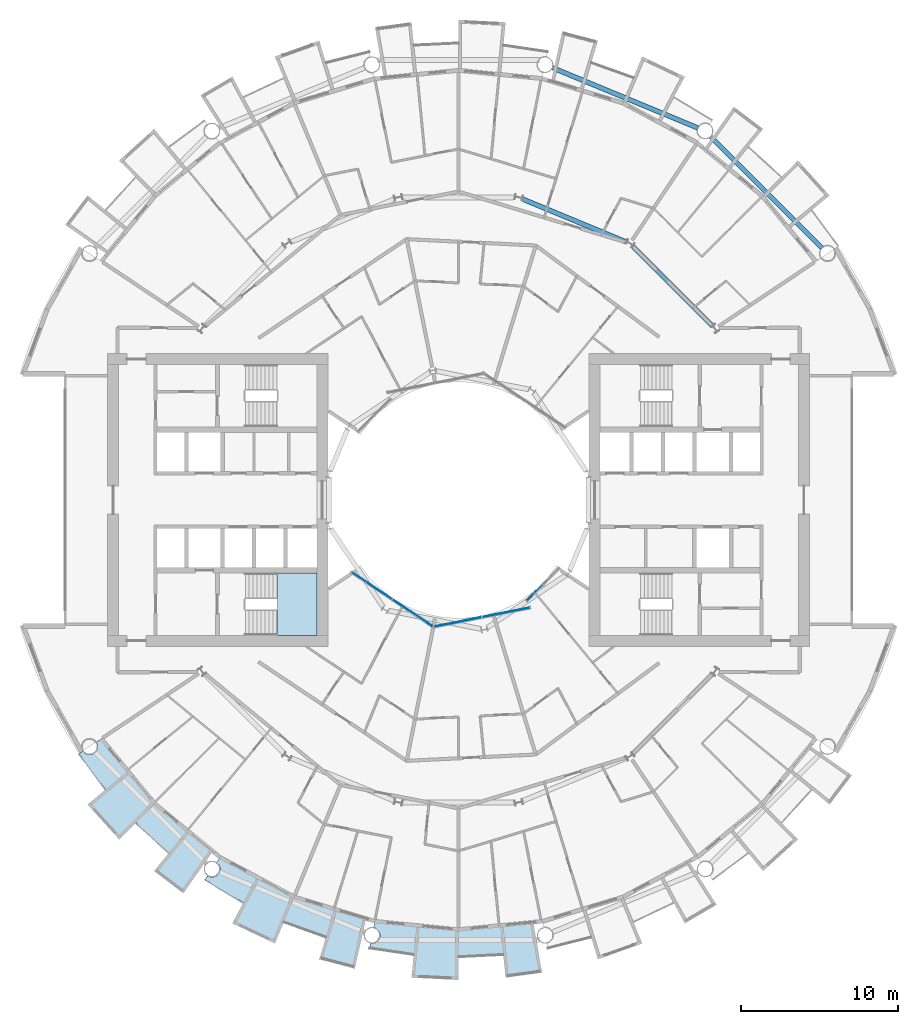
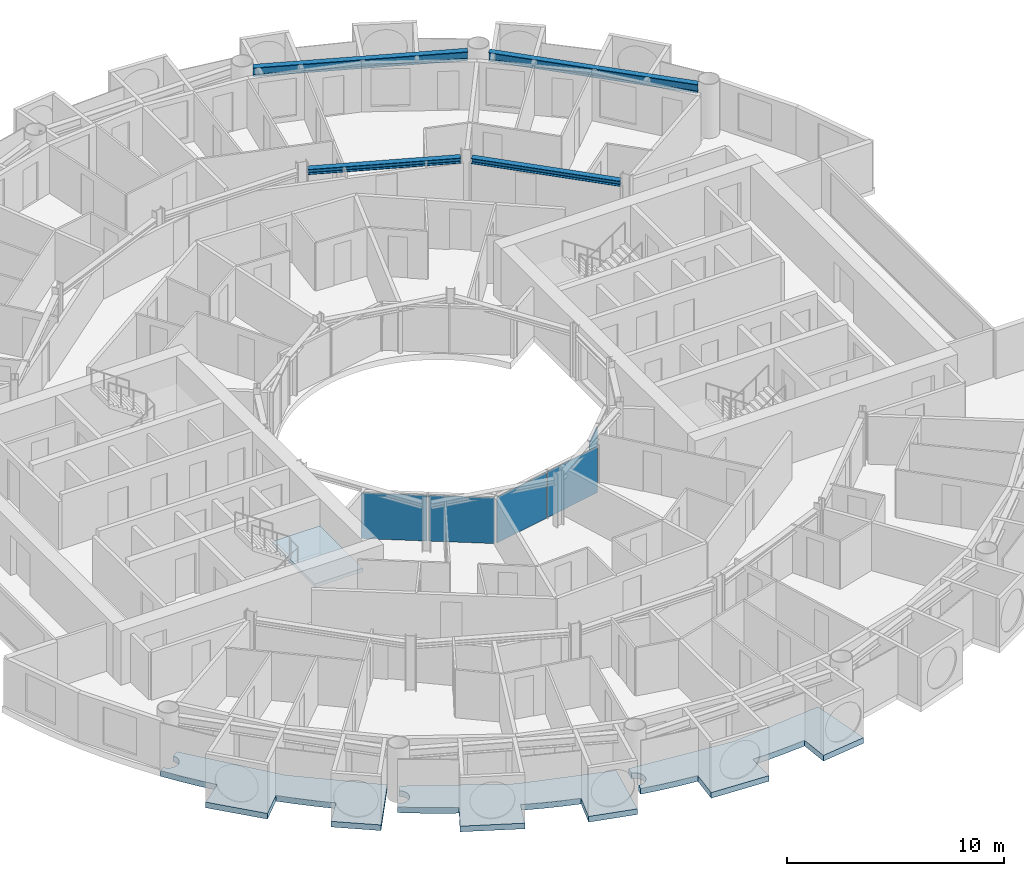
# One storey, part 9 of 26: 5 plates, 4 beams, 4 slabs, 4 elements without a shape of their own.
"""IFC4 building model written with IfcOpenShell, lengths in metres."""

from ifc_helpers import new_model, si_unit, direction, frame, origin, origin_2d, place, context, subcontext, project, spatial, polyline, rectangle, i_section, outline, extrude, material, layer, layer_set, material_profile, profile_set, type_object, element, aggregate, save


model = new_model("IFC4")

# Units and contexts
model_context = context("Model", 3, precision=1e-05, world=origin(), true_north=direction((0.0, 1.0)))
body_context = subcontext(model_context, "Body", "Model", "MODEL_VIEW")
ifc_project = project(units=[si_unit("LENGTHUNIT", "METRE"), si_unit("AREAUNIT", "SQUARE_METRE"), si_unit("VOLUMEUNIT", "CUBIC_METRE"), si_unit("PLANEANGLEUNIT", "RADIAN"), si_unit("MASSUNIT", "GRAM", prefix="KILO")], contexts=[model_context])

# Site, building, storey
site_placement = place(None, origin())
site = spatial("IfcSite", under=ifc_project, at=site_placement, CompositionType="ELEMENT")
building_placement = place(site_placement, origin())
building = spatial("IfcBuilding", under=site, at=building_placement, Name="Maasbend Ring Residences", CompositionType="ELEMENT")
storey_placement = place(building_placement, frame((0.0, 0.0, 88.0)))
storey = spatial("IfcBuildingStorey", under=building, at=storey_placement, Name="L25", CompositionType="ELEMENT", Elevation=88.0)

# Beams
ifc_material_1 = material(Name="Steel S355J2", Category="steel")
ifc_material_profile_1 = material_profile(ifc_material_1, i_section(OverallWidth=0.300048828125, OverallDepth=0.300048828125, WebThickness=0.010986328125, FlangeThickness=0.01904296875, FilletRadius=0.027099609375, at=origin_2d()), Name="HEB 300")
ifc_profile_set_1 = profile_set([ifc_material_profile_1], Name="Steel S355J2")
beam_type_1 = type_object("IfcBeamType", Name="Corridor ring beam HEB 300", PredefinedType="BEAM", material=ifc_profile_set_1)
for number, where, z_axis, x_axis, name in (
    (1, (16.10791015625, 11.078125, 2.550048828125), (-0.707106781187, 0.707106781187, 0.0), (-0.707106781187, -0.707106781187, 0.0), "Corridor ring beam"),
    (2, (10.642333984375, 16.39892578125, 2.550048828125), (-0.923877113721, 0.382689271788, 0.0), (-0.382689271788, -0.923877113721, 0.0), "Corridor ring beam"),
):
    element("IfcBeam", number, at=place(storey_placement, frame(where, z_axis=z_axis, x_axis=x_axis)), inside=storey, type_object=beam_type_1, Name=name, PredefinedType="BEAM", context=body_context, shape_type="SweptSolid", body=[
        extrude(i_section(OverallWidth=0.300048828125, OverallDepth=0.300048828125, WebThickness=0.010986328125, FlangeThickness=0.01904296875, FilletRadius=0.027099609375, at=origin_2d()), origin(), (0.0, 0.0, 1.0), 7.11328125),
    ])
ifc_material_2 = material(Name="Steel S355J2", Category="steel")
ifc_material_profile_2 = material_profile(ifc_material_2, i_section(OverallWidth=0.300048828125, OverallDepth=0.5, WebThickness=0.014404296875, FlangeThickness=0.028076171875, FilletRadius=0.027099609375, at=origin_2d()), Name="HEB 500")
ifc_profile_set_2 = profile_set([ifc_material_profile_2], Name="Steel S355J2")
beam_type_2 = type_object("IfcBeamType", Name="Spandrel ring beam HEB 500", PredefinedType="SPANDREL", material=ifc_profile_set_2)
beam_1_placement = place(storey_placement, frame((23.088134765625, 16.0263671875, 2.449951171875), z_axis=(-0.707106781187, 0.707106781187, 0.0), x_axis=(-0.707106781187, -0.707106781187, 0.0)))
element("IfcBeam", 3, at=beam_1_placement, inside=storey, type_object=beam_type_2, Name="Spandrel ring beam", PredefinedType="SPANDREL", context=body_context, shape_type="SweptSolid", body=[
    extrude(i_section(OverallWidth=0.300048828125, OverallDepth=0.5, WebThickness=0.014404296875, FlangeThickness=0.028076171875, FilletRadius=0.027099609375, at=origin_2d()), origin(), (0.0, 0.0, 1.0), 9.98681640625),
])
beam_2_placement = place(storey_placement, frame((15.19775390625, 23.641845703125, 2.449951171875), z_axis=(-0.923886337442, 0.382667003395, 0.0), x_axis=(-0.382667003395, -0.923886337442, 0.0)))
element("IfcBeam", 4, at=beam_2_placement, inside=storey, type_object=beam_type_2, Name="Spandrel ring beam", PredefinedType="SPANDREL", context=body_context, shape_type="SweptSolid", body=[
    extrude(i_section(OverallWidth=0.300048828125, OverallDepth=0.5, WebThickness=0.014404296875, FlangeThickness=0.028076171875, FilletRadius=0.027099609375, at=origin_2d()), origin(), (0.0, 0.0, 1.0), 9.9873046875),
])

# Stair, slab
ifc_material_3 = material(Name="Concrete C40/50", Category="concrete")
stair_type = type_object("IfcStairType", Name="CORE STAIR 18 RISERS", PredefinedType="HALF_TURN_STAIR", material=ifc_material_3)
stair_placement = place(storey_placement, origin())
stair = element("IfcStair", 5, at=stair_placement, inside=storey, type_object=stair_type, Name="L25 Exit stair ST-W1", PredefinedType="HALF_TURN_STAIR")
ifc_material_4 = material(Name="Concrete C40/50", Category="concrete")
ifc_layer_1 = layer(ifc_material_4, 0.199951171875)
ifc_layer_set_1 = layer_set([ifc_layer_1], Name="Concrete C40/50")
slab_type_1 = type_object("IfcSlabType", Name="CORE STAIR LANDING 200", PredefinedType="LANDING", material=ifc_layer_set_1)
slab_1_placement = place(storey_placement, frame((0.0, 0.0, 1.324951171875)))
slab_1 = element("IfcSlab", 6, at=slab_1_placement, type_object=slab_type_1, Name="ST-W1 landing 1", PredefinedType="LANDING", context=body_context, shape_type="SweptSolid", body=[
    extrude(outline(polyline([(-11.550048828125, -8.60009765625), (-9.0, -8.60009765625), (-9.0, -4.64990234375), (-11.550048828125, -4.64990234375), (-11.550048828125, -8.60009765625)])), origin(), (0.0, 0.0, 1.0), 0.199951171875),
])
aggregate(stair, [slab_1])

# Curtain wall, plates
ifc_material_5 = material(Name="Aluminium and clear glass", Category="aluminium")
ifc_layer_2 = layer(ifc_material_5, 0.179931640625)
ifc_layer_set_2 = layer_set([ifc_layer_2], Name="CW-W")
curtain_wall_type = type_object("IfcCurtainWallType", Name="CW-W", PredefinedType="NOTDEFINED", material=ifc_layer_set_2)
curtain_wall_1_placement = place(storey_placement, origin())
curtain_wall_1 = element("IfcCurtainWall", 7, at=curtain_wall_1_placement, inside=storey, type_object=curtain_wall_type, Name="Well curtain wall S1", PredefinedType="NOTDEFINED")
ifc_material_6 = material(Name="Glass clear laminated", Category="glass")
ifc_layer_3 = layer(ifc_material_6, 0.031982421875)
ifc_layer_set_3 = layer_set([ifc_layer_3], Name="CWP-W")
plate_type = type_object("IfcPlateType", Name="CWP-W", PredefinedType="CURTAIN_PANEL", material=ifc_layer_set_3)
plate_1_placement = place(storey_placement, frame((-5.51123046875, -5.44580078125, 0.0), z_axis=(0.0, 0.0, 1.0), x_axis=(0.831469612303, -0.55557023302, 0.0)))
plate_1 = element("IfcPlate", 8, at=plate_1_placement, type_object=plate_type, Name="Glass panel well face", PredefinedType="CURTAIN_PANEL", context=body_context, shape_type="SweptSolid", body=[
    extrude(rectangle(XDim=3.053955078125, YDim=0.031982421875, at=origin_2d()), origin(), (0.0, 0.0, 1.0), 2.580078125),
])
plate_2_placement = place(storey_placement, frame((-2.922119140625, -7.17578125, 0.0), z_axis=(0.0, 0.0, 1.0), x_axis=(0.831469612303, -0.55557023302, 0.0)))
plate_2 = element("IfcPlate", 9, at=plate_2_placement, type_object=plate_type, Name="Glass panel well face", PredefinedType="CURTAIN_PANEL", context=body_context, shape_type="SweptSolid", body=[
    extrude(rectangle(XDim=3.053955078125, YDim=0.031982421875, at=origin_2d()), origin(), (0.0, 0.0, 1.0), 2.580078125),
])
aggregate(curtain_wall_1, [plate_1, plate_2])

curtain_wall_2_placement = place(storey_placement, origin())
curtain_wall_2 = element("IfcCurtainWall", 10, at=curtain_wall_2_placement, inside=storey, type_object=curtain_wall_type, Name="Well curtain wall S2", PredefinedType="NOTDEFINED")
plate_3_placement = place(storey_placement, frame((-0.04638671875, -7.747802734375, 0.0), z_axis=(0.0, 0.0, 1.0), x_axis=(0.980785280403, 0.195090322016, 0.0)))
plate_3 = element("IfcPlate", 11, at=plate_3_placement, type_object=plate_type, Name="Glass panel well face", PredefinedType="CURTAIN_PANEL", context=body_context, shape_type="SweptSolid", body=[
    extrude(rectangle(XDim=3.053955078125, YDim=0.031982421875, at=origin_2d()), origin(), (0.0, 0.0, 1.0), 2.580078125),
])
plate_4_placement = place(storey_placement, frame((3.0078125, -7.140380859375, 0.0), z_axis=(0.0, 0.0, 1.0), x_axis=(0.980785280403, 0.195090322016, 0.0)))
plate_4 = element("IfcPlate", 12, at=plate_4_placement, type_object=plate_type, Name="Glass panel well face", PredefinedType="CURTAIN_PANEL", context=body_context, shape_type="SweptSolid", body=[
    extrude(rectangle(XDim=3.053955078125, YDim=0.031982421875, at=origin_2d()), origin(), (0.0, 0.0, 1.0), 2.580078125),
])
aggregate(curtain_wall_2, [plate_3, plate_4])

# Curtain wall, plate
curtain_wall_3_placement = place(storey_placement, origin())
curtain_wall_3 = element("IfcCurtainWall", 13, at=curtain_wall_3_placement, inside=storey, type_object=curtain_wall_type, Name="Well curtain wall S3", PredefinedType="NOTDEFINED")
plate_5_placement = place(storey_placement, frame((4.84375, -5.89013671875, 0.0), z_axis=(0.0, 0.0, 1.0), x_axis=(0.707106781187, 0.707106781187, 0.0)))
plate_5 = element("IfcPlate", 14, at=plate_5_placement, type_object=plate_type, Name="Glass panel well face", PredefinedType="CURTAIN_PANEL", context=body_context, shape_type="SweptSolid", body=[
    extrude(rectangle(XDim=1.419677734375, YDim=0.031982421875, at=origin_2d()), origin(), (0.0, 0.0, 1.0), 2.580078125),
])
aggregate(curtain_wall_3, [plate_5])

# Slabs
ifc_material_7 = material(Name="Concrete C40/50", Category="concrete")
ifc_layer_4 = layer(ifc_material_7, 0.199951171875)
ifc_layer_set_4 = layer_set([ifc_layer_4], Name="Concrete C40/50")
slab_type_2 = type_object("IfcSlabType", Name="SL-LOGGIA", PredefinedType="FLOOR", material=ifc_layer_set_4)
slab_2_placement = place(storey_placement, frame((0.0, 0.0, -0.35009765625)))
element("IfcSlab", 15, at=slab_2_placement, inside=storey, type_object=slab_type_2, Name="Loggia floor 1", PredefinedType="FLOOR", context=body_context, shape_type="SweptSolid", body=[
    extrude(outline(polyline([(-15.9169921875, -23.888916015625), (-15.906982421875, -23.89501953125), (-15.89599609375, -23.90087890625), (-15.884033203125, -23.906982421875), (-15.873046875, -23.912109375), (-15.862060546875, -23.9169921875), (-15.85009765625, -23.9208984375), (-15.837890625, -23.926025390625), (-15.825927734375, -23.929931640625), (-15.81494140625, -23.93408203125), (-15.802978515625, -23.93701171875), (-15.791015625, -23.93994140625), (-15.778076171875, -23.943115234375), (-15.76611328125, -23.946044921875), (-15.75390625, -23.947998046875), (-15.741943359375, -23.949951171875), (-15.72900390625, -23.951904296875), (-15.717041015625, -23.952880859375), (-15.7041015625, -23.9541015625), (-15.69189453125, -23.955078125), (-15.679931640625, -23.955078125), (-15.6669921875, -23.955078125), (-15.655029296875, -23.955078125), (-15.64208984375, -23.955078125), (-15.6298828125, -23.9541015625), (-15.616943359375, -23.952880859375), (-15.60498046875, -23.951904296875), (-15.593017578125, -23.949951171875), (-15.580078125, -23.947998046875), (-15.568115234375, -23.946044921875), (-15.555908203125, -23.943115234375), (-15.5439453125, -23.93994140625), (-15.531982421875, -23.93701171875), (-15.52001953125, -23.93408203125), (-15.508056640625, -23.929931640625), (-15.49609375, -23.926025390625), (-15.48388671875, -23.9208984375), (-15.472900390625, -23.9169921875), (-15.4609375, -23.912109375), (-15.449951171875, -23.906982421875), (-15.43896484375, -23.90087890625), (-15.427978515625, -23.89501953125), (-15.4169921875, -23.888916015625), (-15.406005859375, -23.883056640625), (-15.39501953125, -23.876953125), (-15.385009765625, -23.8701171875), (-15.375, -23.863037109375), (-15.364013671875, -23.85498046875), (-15.35498046875, -23.847900390625), (-15.344970703125, -23.840087890625), (-15.3349609375, -23.83203125), (-15.325927734375, -23.823974609375), (-15.31689453125, -23.81494140625), (-15.30810546875, -23.806884765625), (-15.299072265625, -23.798095703125), (-15.291015625, -23.7890625), (-15.281982421875, -23.779052734375), (-15.27392578125, -23.77001953125), (-15.26708984375, -23.760009765625), (-15.259033203125, -23.75), (-15.251953125, -23.739990234375), (-15.2451171875, -23.72998046875), (-15.238037109375, -23.718994140625), (-15.23095703125, -23.708984375), (-15.22509765625, -23.697998046875), (-15.218994140625, -23.68701171875), (-15.212890625, -23.676025390625), (-15.2080078125, -23.6650390625), (-15.202880859375, -23.653076171875), (-15.197998046875, -23.64208984375), (-15.193115234375, -23.6298828125), (-15.18896484375, -23.618896484375), (-15.18505859375, -23.60693359375), (-15.180908203125, -23.594970703125), (-15.177978515625, -23.5830078125), (-15.174072265625, -23.571044921875), (-15.1708984375, -23.55908203125), (-15.1689453125, -23.547119140625), (-15.1669921875, -23.533935546875), (-15.1650390625, -23.52197265625), (-15.1630859375, -23.510009765625), (-15.162109375, -23.4970703125), (-15.159912109375, -23.485107421875), (-15.159912109375, -23.471923828125), (-15.158935546875, -23.4599609375), (-15.158935546875, -23.447021484375), (-15.158935546875, -23.43505859375), (-15.159912109375, -23.422119140625), (-15.159912109375, -23.409912109375), (-15.162109375, -23.39794921875), (-15.1630859375, -23.385009765625), (-15.1650390625, -23.373046875), (-15.1669921875, -23.361083984375), (-15.1689453125, -23.347900390625), (-15.1708984375, -23.3359375), (-15.174072265625, -23.323974609375), (-15.177978515625, -23.31201171875), (-15.180908203125, -23.300048828125), (-15.18505859375, -23.2880859375), (-15.18896484375, -23.27587890625), (-15.193115234375, -23.264892578125), (-15.197998046875, -23.2529296875), (-15.202880859375, -23.241943359375), (-15.2080078125, -23.22998046875), (-15.212890625, -23.218994140625), (-15.218994140625, -23.2080078125), (-15.22509765625, -23.197021484375), (-15.23095703125, -23.18603515625), (-15.238037109375, -23.176025390625), (-15.2451171875, -23.1650390625), (-15.251953125, -23.155029296875), (-15.259033203125, -23.14501953125), (-15.26708984375, -23.135009765625), (-15.27392578125, -23.125), (-15.281982421875, -23.115966796875), (-15.291015625, -23.10595703125), (-15.299072265625, -23.096923828125), (-15.30810546875, -23.087890625), (-15.31689453125, -23.0791015625), (-15.325927734375, -23.071044921875), (-15.3349609375, -23.06298828125), (-15.344970703125, -23.054931640625), (-15.35498046875, -23.047119140625), (-15.364013671875, -23.0390625), (-15.375, -23.031982421875), (-15.385009765625, -23.02490234375), (-15.1669921875, -22.698974609375), (-15.1669921875, -22.698974609375), (-15.1669921875, -22.698974609375), (-12.806884765625, -23.9609375), (-10.447021484375, -25.221923828125), (-10.447021484375, -25.221923828125), (-10.447021484375, -25.221923828125), (-7.886962890625, -25.9990234375), (-5.89111328125, -26.60400390625), (-5.89111328125, -26.60400390625), (-5.89111328125, -26.60400390625), (-6.593994140625, -29.779052734375), (-6.593994140625, -29.779052734375), (-6.593994140625, -29.779052734375), (-8.85400390625, -29.18701171875), (-8.85400390625, -29.18701171875), (-8.85400390625, -29.18701171875), (-8.41796875, -27.751953125), (-8.41796875, -27.751953125), (-8.41796875, -27.751953125), (-8.41796875, -27.751953125), (-8.41796875, -27.751953125), (-8.41796875, -27.751953125), (-8.41796875, -27.7509765625), (-8.41796875, -27.7509765625), (-8.41796875, -27.7509765625), (-8.41796875, -27.7509765625), (-8.41796875, -27.7509765625), (-8.4189453125, -27.7509765625), (-8.4189453125, -27.7509765625), (-8.4189453125, -27.7509765625), (-8.4189453125, -27.7509765625), (-8.4189453125, -27.7509765625), (-8.4189453125, -27.7509765625), (-9.322021484375, -27.4609375), (-9.322021484375, -27.4609375), (-10.215087890625, -27.14111328125), (-10.215087890625, -27.14111328125), (-11.096923828125, -26.79296875), (-11.096923828125, -26.79296875), (-11.096923828125, -26.79296875), (-11.097900390625, -26.79296875), (-11.097900390625, -26.79296875), (-11.097900390625, -26.79296875), (-11.097900390625, -26.79296875), (-11.097900390625, -26.79296875), (-11.097900390625, -26.79296875), (-11.097900390625, -26.79296875), (-11.097900390625, -26.79296875), (-11.097900390625, -26.79296875), (-11.097900390625, -26.79296875), (-11.097900390625, -26.79296875), (-11.097900390625, -26.79296875), (-11.097900390625, -26.79296875), (-11.097900390625, -26.79296875), (-11.672119140625, -28.177978515625), (-11.672119140625, -28.177978515625), (-11.672119140625, -28.177978515625), (-14.3779296875, -26.89892578125), (-14.3779296875, -26.89892578125), (-14.3779296875, -26.89892578125), (-13.6708984375, -25.575927734375), (-13.6708984375, -25.575927734375), (-13.6708984375, -25.575927734375), (-13.6708984375, -25.575927734375), (-13.6708984375, -25.575927734375), (-13.6708984375, -25.575927734375), (-13.6708984375, -25.575927734375), (-13.6708984375, -25.575927734375), (-13.6708984375, -25.575927734375), (-13.6708984375, -25.575927734375), (-13.6708984375, -25.575927734375), (-13.6708984375, -25.575927734375), (-13.6708984375, -25.575927734375), (-13.6708984375, -25.575927734375), (-13.6708984375, -25.575927734375), (-13.6708984375, -25.575927734375), (-13.6708984375, -25.574951171875), (-14.5, -25.114990234375), (-14.5, -25.114990234375), (-15.31396484375, -24.626953125), (-15.31396484375, -24.626953125), (-16.112060546875, -24.113037109375), (-16.112060546875, -24.113037109375), (-16.112060546875, -24.113037109375), (-15.948974609375, -23.8701171875), (-15.93896484375, -23.876953125), (-15.927978515625, -23.883056640625), (-15.9169921875, -23.888916015625)])), origin(), (0.0, 0.0, 1.0), 0.320068359375),
])
slab_3_placement = place(storey_placement, frame((0.0, 0.0, -0.35009765625)))
element("IfcSlab", 16, at=slab_3_placement, inside=storey, type_object=slab_type_2, Name="Loggia floor 3", PredefinedType="FLOOR", context=body_context, shape_type="SweptSolid", body=[
    extrude(outline(polyline([(-2.6630859375, -27.0380859375), (0.0, -27.300048828125), (0.0, -27.300048828125), (0.0, -27.300048828125), (2.6630859375, -27.0380859375), (4.739013671875, -26.8330078125), (4.739013671875, -26.8330078125), (4.739013671875, -26.8330078125), (5.303955078125, -30.034912109375), (5.303955078125, -30.034912109375), (5.303955078125, -30.034912109375), (2.989990234375, -30.35302734375), (2.989990234375, -30.35302734375), (2.989990234375, -30.35302734375), (2.843017578125, -28.861083984375), (2.843017578125, -28.861083984375), (2.843017578125, -28.861083984375), (2.843017578125, -28.861083984375), (2.842041015625, -28.861083984375), (2.842041015625, -28.861083984375), (2.842041015625, -28.861083984375), (2.842041015625, -28.861083984375), (2.842041015625, -28.861083984375), (2.842041015625, -28.860107421875), (2.842041015625, -28.860107421875), (2.842041015625, -28.860107421875), (2.842041015625, -28.860107421875), (2.842041015625, -28.860107421875), (2.842041015625, -28.860107421875), (2.842041015625, -28.860107421875), (2.842041015625, -28.860107421875), (1.89697265625, -28.93798828125), (1.89697265625, -28.93798828125), (0.948974609375, -28.98388671875), (0.948974609375, -28.98388671875), (0.0, -29.0), (0.0, -29.0), (0.0, -29.0), (0.0, -29.0), (0.0, -29.0), (0.0, -29.0), (0.0, -29.0), (0.0, -29.0), (0.0, -29.0), (0.0, -29.0), (0.0, -29.0), (0.0, -29.0), (0.0, -29.0), (0.0, -29.0), (0.0, -29.0), (0.0, -29.0), (0.0, -29.0), (0.0, -30.5), (0.0, -30.5), (0.0, -30.5), (-2.989990234375, -30.35302734375), (-2.989990234375, -30.35302734375), (-2.989990234375, -30.35302734375), (-2.843017578125, -28.861083984375), (-2.843017578125, -28.861083984375), (-2.843017578125, -28.861083984375), (-2.843017578125, -28.861083984375), (-2.843017578125, -28.861083984375), (-2.843017578125, -28.861083984375), (-2.843017578125, -28.861083984375), (-2.843017578125, -28.861083984375), (-2.843017578125, -28.860107421875), (-2.843017578125, -28.860107421875), (-2.843017578125, -28.860107421875), (-2.843017578125, -28.860107421875), (-2.843017578125, -28.860107421875), (-2.843017578125, -28.860107421875), (-2.843017578125, -28.860107421875), (-2.843017578125, -28.860107421875), (-2.843017578125, -28.860107421875), (-3.784912109375, -28.751953125), (-3.784912109375, -28.751953125), (-4.72412109375, -28.613037109375), (-4.72412109375, -28.613037109375), (-5.657958984375, -28.443115234375), (-5.657958984375, -28.443115234375), (-5.657958984375, -28.443115234375), (-5.60107421875, -28.156005859375), (-5.60107421875, -28.156005859375), (-5.587890625, -28.158935546875), (-5.575927734375, -28.160888671875), (-5.56396484375, -28.162109375), (-5.551025390625, -28.1640625), (-5.5390625, -28.1650390625), (-5.52587890625, -28.1650390625), (-5.513916015625, -28.166015625), (-5.501953125, -28.166015625), (-5.489013671875, -28.166015625), (-5.47705078125, -28.1650390625), (-5.464111328125, -28.1650390625), (-5.451904296875, -28.1640625), (-5.43896484375, -28.162109375), (-5.427001953125, -28.160888671875), (-5.4150390625, -28.158935546875), (-5.402099609375, -28.156005859375), (-5.389892578125, -28.154052734375), (-5.3779296875, -28.15087890625), (-5.365966796875, -28.14794921875), (-5.35400390625, -28.14404296875), (-5.342041015625, -28.139892578125), (-5.330078125, -28.135986328125), (-5.319091796875, -28.132080078125), (-5.306884765625, -28.126953125), (-5.2958984375, -28.123046875), (-5.283935546875, -28.116943359375), (-5.27294921875, -28.112060546875), (-5.261962890625, -28.10595703125), (-5.2509765625, -28.10009765625), (-5.239990234375, -28.093994140625), (-5.22998046875, -28.0869140625), (-5.218994140625, -28.080078125), (-5.208984375, -28.072998046875), (-5.198974609375, -28.06591796875), (-5.18896484375, -28.05908203125), (-5.178955078125, -28.051025390625), (-5.169921875, -28.04296875), (-5.159912109375, -28.034912109375), (-5.15087890625, -28.02587890625), (-5.14208984375, -28.01708984375), (-5.134033203125, -28.008056640625), (-5.125, -27.9990234375), (-5.116943359375, -27.989990234375), (-5.10888671875, -27.97998046875), (-5.10107421875, -27.970947265625), (-5.093017578125, -27.9609375), (-5.0859375, -27.950927734375), (-5.0791015625, -27.93994140625), (-5.072021484375, -27.929931640625), (-5.06591796875, -27.9189453125), (-5.05908203125, -27.907958984375), (-5.052978515625, -27.89794921875), (-5.048095703125, -27.886962890625), (-5.0419921875, -27.875), (-5.037109375, -27.864013671875), (-5.031982421875, -27.85302734375), (-5.028076171875, -27.841064453125), (-5.02294921875, -27.8291015625), (-5.01904296875, -27.81689453125), (-5.014892578125, -27.805908203125), (-5.011962890625, -27.7939453125), (-5.009033203125, -27.781982421875), (-5.006103515625, -27.76904296875), (-5.0029296875, -27.757080078125), (-5.0009765625, -27.7451171875), (-4.9990234375, -27.73291015625), (-4.9970703125, -27.719970703125), (-4.99609375, -27.7080078125), (-4.9951171875, -27.695068359375), (-4.993896484375, -27.68310546875), (-4.993896484375, -27.6708984375), (-4.993896484375, -27.657958984375), (-4.993896484375, -27.64599609375), (-4.993896484375, -27.633056640625), (-4.9951171875, -27.62109375), (-4.99609375, -27.60791015625), (-4.9970703125, -27.595947265625), (-4.9990234375, -27.583984375), (-5.0009765625, -27.571044921875), (-5.0029296875, -27.55908203125), (-5.006103515625, -27.547119140625), (-5.009033203125, -27.534912109375), (-5.011962890625, -27.52294921875), (-5.014892578125, -27.510986328125), (-5.01904296875, -27.4990234375), (-5.02294921875, -27.487060546875), (-5.028076171875, -27.47509765625), (-5.031982421875, -27.464111328125), (-5.037109375, -27.451904296875), (-5.0419921875, -27.44091796875), (-5.048095703125, -27.429931640625), (-5.052978515625, -27.4189453125), (-5.05908203125, -27.407958984375), (-5.06591796875, -27.39697265625), (-5.072021484375, -27.385986328125), (-5.0791015625, -27.3759765625), (-5.0859375, -27.365966796875), (-5.093017578125, -27.35498046875), (-5.10107421875, -27.345947265625), (-5.10888671875, -27.3359375), (-5.116943359375, -27.325927734375), (-5.125, -27.31689453125), (-5.134033203125, -27.30810546875), (-5.14208984375, -27.299072265625), (-5.15087890625, -27.2900390625), (-5.159912109375, -27.281982421875), (-5.169921875, -27.27294921875), (-5.178955078125, -27.264892578125), (-5.18896484375, -27.258056640625), (-5.198974609375, -27.25), (-5.208984375, -27.242919921875), (-5.218994140625, -27.236083984375), (-5.22998046875, -27.22900390625), (-5.239990234375, -27.221923828125), (-5.2509765625, -27.216064453125), (-5.261962890625, -27.2099609375), (-5.27294921875, -27.2041015625), (-5.283935546875, -27.198974609375), (-5.2958984375, -27.194091796875), (-5.306884765625, -27.18896484375), (-5.319091796875, -27.18408203125), (-5.330078125, -27.179931640625), (-5.342041015625, -27.176025390625), (-5.35400390625, -27.172119140625), (-5.365966796875, -27.1689453125), (-5.3779296875, -27.1650390625), (-5.389892578125, -27.162109375), (-5.402099609375, -27.159912109375), (-5.402099609375, -27.159912109375), (-5.325927734375, -26.77490234375), (-5.325927734375, -26.77490234375), (-5.325927734375, -26.77490234375), (-2.6630859375, -27.0380859375)])), origin(), (0.0, 0.0, 1.0), 0.320068359375),
])
slab_4_placement = place(storey_placement, frame((0.0, 0.0, -0.35009765625)))
element("IfcSlab", 17, at=slab_4_placement, inside=storey, type_object=slab_type_2, Name="Loggia floor 4", PredefinedType="FLOOR", context=body_context, shape_type="SweptSolid", body=[
    extrude(outline(polyline([(-23.85498046875, -15.969970703125), (-23.847900390625, -15.97998046875), (-23.840087890625, -15.989013671875), (-23.83203125, -15.9990234375), (-23.823974609375, -16.008056640625), (-23.81494140625, -16.01708984375), (-23.806884765625, -16.02587890625), (-23.798095703125, -16.034912109375), (-23.7890625, -16.0439453125), (-23.779052734375, -16.052001953125), (-23.77001953125, -16.06005859375), (-23.760009765625, -16.068115234375), (-23.75, -16.074951171875), (-23.739990234375, -16.08203125), (-23.72998046875, -16.089111328125), (-23.718994140625, -16.095947265625), (-23.708984375, -16.10302734375), (-23.697998046875, -16.10888671875), (-23.68701171875, -16.114990234375), (-23.676025390625, -16.12109375), (-23.6650390625, -16.1259765625), (-23.653076171875, -16.132080078125), (-23.64208984375, -16.135986328125), (-23.6298828125, -16.14111328125), (-23.618896484375, -16.14501953125), (-23.60693359375, -16.14892578125), (-23.594970703125, -16.153076171875), (-23.5830078125, -16.156982421875), (-23.571044921875, -16.159912109375), (-23.55908203125, -16.1630859375), (-23.547119140625, -16.1650390625), (-23.533935546875, -16.16796875), (-23.52197265625, -16.169921875), (-23.510009765625, -16.1708984375), (-23.4970703125, -16.173095703125), (-23.485107421875, -16.174072265625), (-23.471923828125, -16.174072265625), (-23.4599609375, -16.175048828125), (-23.447021484375, -16.175048828125), (-23.43505859375, -16.175048828125), (-23.422119140625, -16.174072265625), (-23.409912109375, -16.174072265625), (-23.39794921875, -16.173095703125), (-23.385009765625, -16.1708984375), (-23.373046875, -16.169921875), (-23.361083984375, -16.16796875), (-23.347900390625, -16.1650390625), (-23.3359375, -16.1630859375), (-23.323974609375, -16.159912109375), (-23.31201171875, -16.156982421875), (-23.300048828125, -16.153076171875), (-23.2880859375, -16.14892578125), (-23.27587890625, -16.14501953125), (-23.264892578125, -16.14111328125), (-23.2529296875, -16.135986328125), (-23.241943359375, -16.132080078125), (-23.22998046875, -16.1259765625), (-23.218994140625, -16.12109375), (-23.2080078125, -16.114990234375), (-23.197021484375, -16.10888671875), (-23.18603515625, -16.10302734375), (-23.176025390625, -16.095947265625), (-23.1650390625, -16.089111328125), (-23.155029296875, -16.08203125), (-23.14501953125, -16.074951171875), (-23.135009765625, -16.068115234375), (-23.125, -16.06005859375), (-23.115966796875, -16.052001953125), (-23.10595703125, -16.0439453125), (-23.096923828125, -16.034912109375), (-23.087890625, -16.02587890625), (-23.0791015625, -16.01708984375), (-23.071044921875, -16.008056640625), (-23.06298828125, -15.9990234375), (-23.054931640625, -15.989013671875), (-23.047119140625, -15.97998046875), (-23.0390625, -15.969970703125), (-23.031982421875, -15.9599609375), (-23.02490234375, -15.948974609375), (-23.01806640625, -15.93896484375), (-23.011962890625, -15.927978515625), (-23.0048828125, -15.9169921875), (-22.9990234375, -15.906982421875), (-22.993896484375, -15.89599609375), (-22.988037109375, -15.884033203125), (-22.98291015625, -15.873046875), (-22.97802734375, -15.862060546875), (-22.972900390625, -15.85009765625), (-22.968994140625, -15.837890625), (-22.965087890625, -15.825927734375), (-22.9609375, -15.81494140625), (-22.9580078125, -15.802978515625), (-22.955078125, -15.791015625), (-22.951904296875, -15.778076171875), (-22.948974609375, -15.76611328125), (-22.947021484375, -15.75390625), (-22.945068359375, -15.741943359375), (-22.943115234375, -15.72900390625), (-22.94189453125, -15.717041015625), (-22.94091796875, -15.7041015625), (-22.93994140625, -15.69189453125), (-22.93994140625, -15.679931640625), (-22.93896484375, -15.6669921875), (-22.93994140625, -15.655029296875), (-22.93994140625, -15.64208984375), (-22.94091796875, -15.6298828125), (-22.94189453125, -15.616943359375), (-22.943115234375, -15.60498046875), (-22.945068359375, -15.593017578125), (-22.947021484375, -15.580078125), (-22.948974609375, -15.568115234375), (-22.951904296875, -15.555908203125), (-22.955078125, -15.5439453125), (-22.9580078125, -15.531982421875), (-22.9609375, -15.52001953125), (-22.965087890625, -15.508056640625), (-22.968994140625, -15.49609375), (-22.972900390625, -15.48388671875), (-22.97802734375, -15.472900390625), (-22.98291015625, -15.4609375), (-22.988037109375, -15.449951171875), (-22.993896484375, -15.43896484375), (-22.9990234375, -15.427978515625), (-23.0048828125, -15.4169921875), (-23.011962890625, -15.406005859375), (-23.01806640625, -15.39501953125), (-23.02490234375, -15.385009765625), (-23.02490234375, -15.385009765625), (-22.698974609375, -15.1669921875), (-22.698974609375, -15.1669921875), (-22.698974609375, -15.1669921875), (-21.001953125, -17.236083984375), (-19.303955078125, -19.303955078125), (-19.303955078125, -19.303955078125), (-19.303955078125, -19.303955078125), (-17.236083984375, -21.001953125), (-15.623046875, -22.324951171875), (-15.623046875, -22.324951171875), (-15.623046875, -22.324951171875), (-17.488037109375, -24.989013671875), (-17.488037109375, -24.989013671875), (-17.488037109375, -24.989013671875), (-19.34912109375, -23.576904296875), (-19.34912109375, -23.576904296875), (-19.34912109375, -23.576904296875), (-18.39794921875, -22.41796875), (-18.39794921875, -22.41796875), (-18.39794921875, -22.41796875), (-18.39794921875, -22.41796875), (-18.39794921875, -22.41796875), (-18.39794921875, -22.4169921875), (-18.39794921875, -22.4169921875), (-18.39794921875, -22.4169921875), (-18.39794921875, -22.4169921875), (-18.39794921875, -22.4169921875), (-18.39794921875, -22.4169921875), (-18.39794921875, -22.4169921875), (-18.39794921875, -22.4169921875), (-18.39794921875, -22.4169921875), (-18.39794921875, -22.4169921875), (-18.39794921875, -22.4169921875), (-18.39794921875, -22.4169921875), (-19.12109375, -21.802978515625), (-19.12109375, -21.802978515625), (-19.823974609375, -21.166015625), (-19.823974609375, -21.166015625), (-20.506103515625, -20.506103515625), (-20.506103515625, -20.506103515625), (-20.506103515625, -20.506103515625), (-20.506103515625, -20.506103515625), (-20.506103515625, -20.506103515625), (-20.506103515625, -20.506103515625), (-20.506103515625, -20.506103515625), (-20.506103515625, -20.506103515625), (-20.506103515625, -20.506103515625), (-20.506103515625, -20.506103515625), (-20.506103515625, -20.506103515625), (-20.506103515625, -20.506103515625), (-20.506103515625, -20.506103515625), (-20.506103515625, -20.506103515625), (-20.506103515625, -20.506103515625), (-20.506103515625, -20.506103515625), (-20.506103515625, -20.506103515625), (-21.56689453125, -21.56689453125), (-21.56689453125, -21.56689453125), (-21.56689453125, -21.56689453125), (-23.576904296875, -19.34912109375), (-23.576904296875, -19.34912109375), (-23.576904296875, -19.34912109375), (-22.41796875, -18.39794921875), (-22.41796875, -18.39794921875), (-22.41796875, -18.39794921875), (-22.41796875, -18.39794921875), (-22.41796875, -18.39794921875), (-22.41796875, -18.39794921875), (-22.41796875, -18.39697265625), (-22.41796875, -18.39697265625), (-22.41796875, -18.39697265625), (-22.41796875, -18.39697265625), (-22.41796875, -18.39697265625), (-22.41796875, -18.39697265625), (-22.41796875, -18.39697265625), (-22.41796875, -18.39697265625), (-22.41796875, -18.39697265625), (-22.41796875, -18.39697265625), (-22.41796875, -18.39697265625), (-23.007080078125, -17.654052734375), (-23.007080078125, -17.654052734375), (-23.572998046875, -16.89208984375), (-23.572998046875, -16.89208984375), (-24.113037109375, -16.112060546875), (-24.113037109375, -16.112060546875), (-24.113037109375, -16.112060546875), (-23.8701171875, -15.948974609375), (-23.8701171875, -15.948974609375), (-23.863037109375, -15.9599609375), (-23.85498046875, -15.969970703125)])), origin(), (0.0, 0.0, 1.0), 0.320068359375),
])

save(model, "model.ifc")
